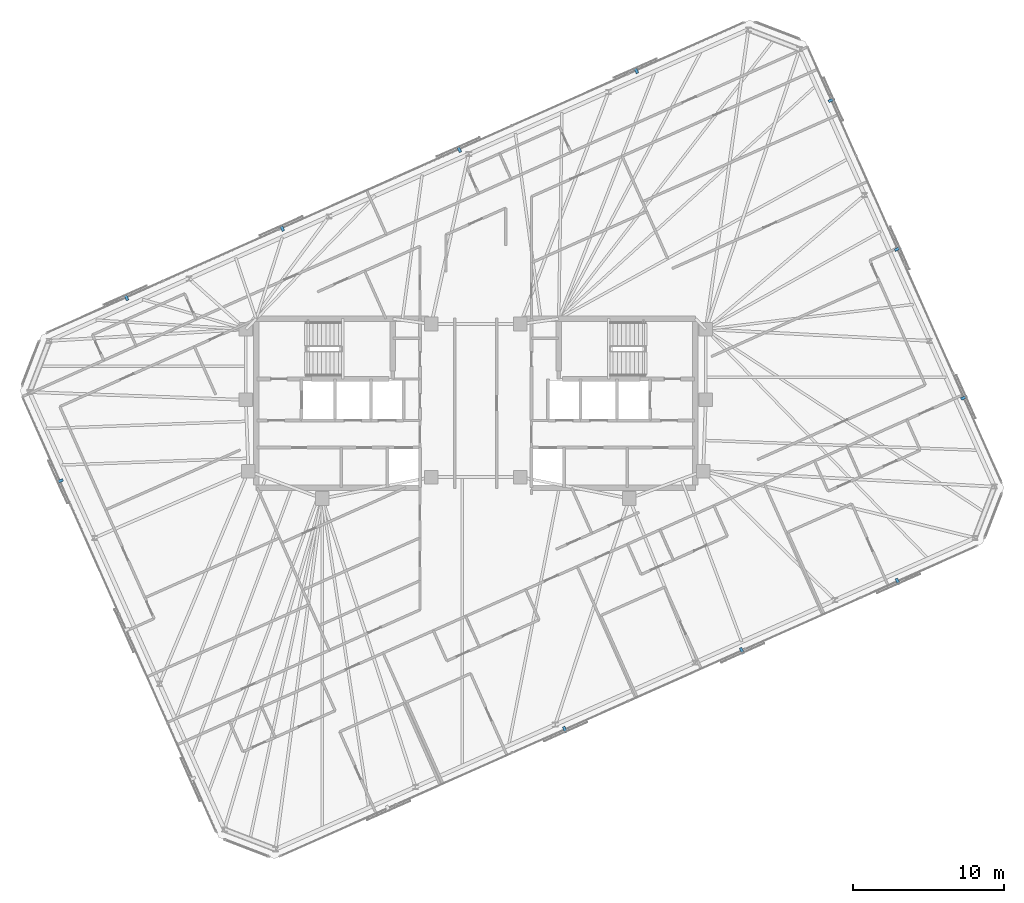
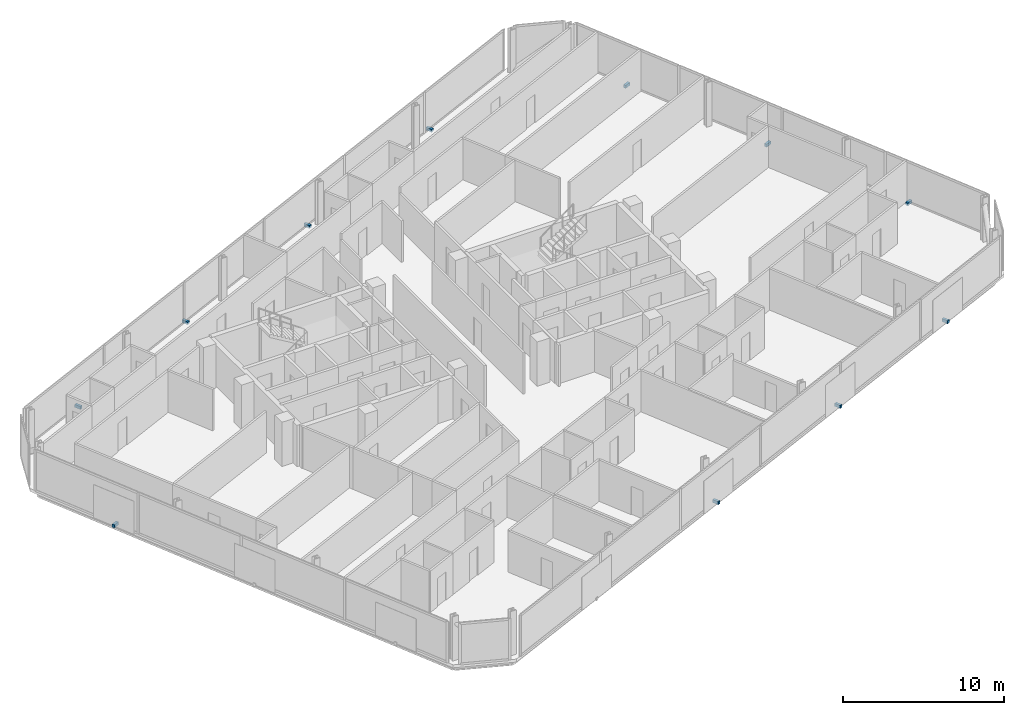
# One storey, part 18 of 19: 11 discrete accessories.
"""IFC4 building model written with IfcOpenShell, lengths in metres."""

from ifc_helpers import new_model, si_unit, direction, frame, origin, origin_2d, place, context, subcontext, project, spatial, rectangle, extrude, material, type_object, element, save


model = new_model("IFC4")

# Units and contexts
model_context = context("Model", 3, precision=1e-05, world=origin(), true_north=direction((0.0, 1.0)))
body_context = subcontext(model_context, "Body", "Model", "MODEL_VIEW")
ifc_project = project(units=[si_unit("LENGTHUNIT", "METRE"), si_unit("AREAUNIT", "SQUARE_METRE"), si_unit("VOLUMEUNIT", "CUBIC_METRE"), si_unit("PLANEANGLEUNIT", "RADIAN"), si_unit("MASSUNIT", "GRAM", prefix="KILO")], contexts=[model_context])

# Site, building, storey
site_placement = place(None, origin())
site = spatial("IfcSite", under=ifc_project, at=site_placement, CompositionType="ELEMENT")
building_placement = place(site_placement, origin())
building = spatial("IfcBuilding", under=site, at=building_placement, Name="Menara Jurai Vektor", CompositionType="ELEMENT")
storey_placement = place(building_placement, frame((0.0, 0.0, 295.300048828125)))
storey = spatial("IfcBuildingStorey", under=building, at=storey_placement, Name="L79", CompositionType="ELEMENT", Elevation=295.300048828125)

# Discrete accessories
ifc_material = material(Name="Steel S355", Category="steel")
discrete_accessory_type = type_object("IfcDiscreteAccessoryType", Name="ENV-ACC-BRACKET", PredefinedType="BRACKET", material=ifc_material)
for number, where, z_axis, x_axis, name in (
    (1, (5.906005859375, -21.648193359375, -0.1298828125), (0.0, 0.0, 1.0), (0.913545457643, 0.406736643076, 0.0), "Solar Screen Stand-Off Bracket L79-S02"),
    (2, (17.64501953125, -16.42138671875, -0.1298828125), (0.0, 0.0, 1.0), (0.913545457643, 0.406736643076, 0.0), "Solar Screen Stand-Off Bracket L79-S03"),
    (3, (27.975341796875, -11.822021484375, -0.1298828125), (0.0, 0.0, 1.0), (0.913545457643, 0.406736643076, 0.0), "Solar Screen Stand-Off Bracket L79-S04"),
    (4, (32.376708984375, 0.36572265625, -0.1298828125), (0.0, 0.0, 1.0), (-0.406736643076, 0.913545457643, 0.0), "Solar Screen Stand-Off Bracket L79-S05"),
    (5, (27.98388671875, 10.23193359375, -0.1298828125), (0.0, 0.0, 1.0), (-0.406736643076, 0.913545457643, 0.0), "Solar Screen Stand-Off Bracket L79-S06"),
    (6, (23.59130859375, 20.098388671875, -0.1298828125), (0.0, 0.0, 1.0), (-0.406736643076, 0.913545457643, 0.0), "Solar Screen Stand-Off Bracket L79-S07"),
    (7, (10.633056640625, 22.07470703125, -0.1298828125), (0.0, 0.0, 1.0), (-0.913545457643, -0.406736643076, 0.0), "Solar Screen Stand-Off Bracket L79-S08"),
    (8, (-1.10595703125, 16.84814453125, -0.1298828125), (0.0, 0.0, 1.0), (-0.913545457643, -0.406736643076, 0.0), "Solar Screen Stand-Off Bracket L79-S09"),
    (9, (-12.84521484375, 11.62158203125, -0.1298828125), (0.0, 0.0, 1.0), (-0.913545457643, -0.406736643076, 0.0), "Solar Screen Stand-Off Bracket L79-S10"),
    (10, (-23.17529296875, 7.022216796875, -0.1298828125), (0.0, 0.0, 1.0), (-0.913545457643, -0.406736643076, 0.0), "Solar Screen Stand-Off Bracket L79-S11"),
    (11, (-27.57666015625, -5.165771484375, -0.1298828125), (0.0, 0.0, 1.0), (0.406736643076, -0.913545457643, 0.0), "Solar Screen Stand-Off Bracket L79-S12"),
):
    element("IfcDiscreteAccessory", number, at=place(storey_placement, frame(where, z_axis=z_axis, x_axis=x_axis)), inside=storey, type_object=discrete_accessory_type, Name=name, PredefinedType="BRACKET", context=body_context, shape_type="SweptSolid", body=[
        extrude(rectangle(XDim=0.179931640625, YDim=0.43994140625, at=origin_2d()), origin(), (0.0, 0.0, 1.0), 0.219970703125),
    ])

save(model, "model.ifc")
